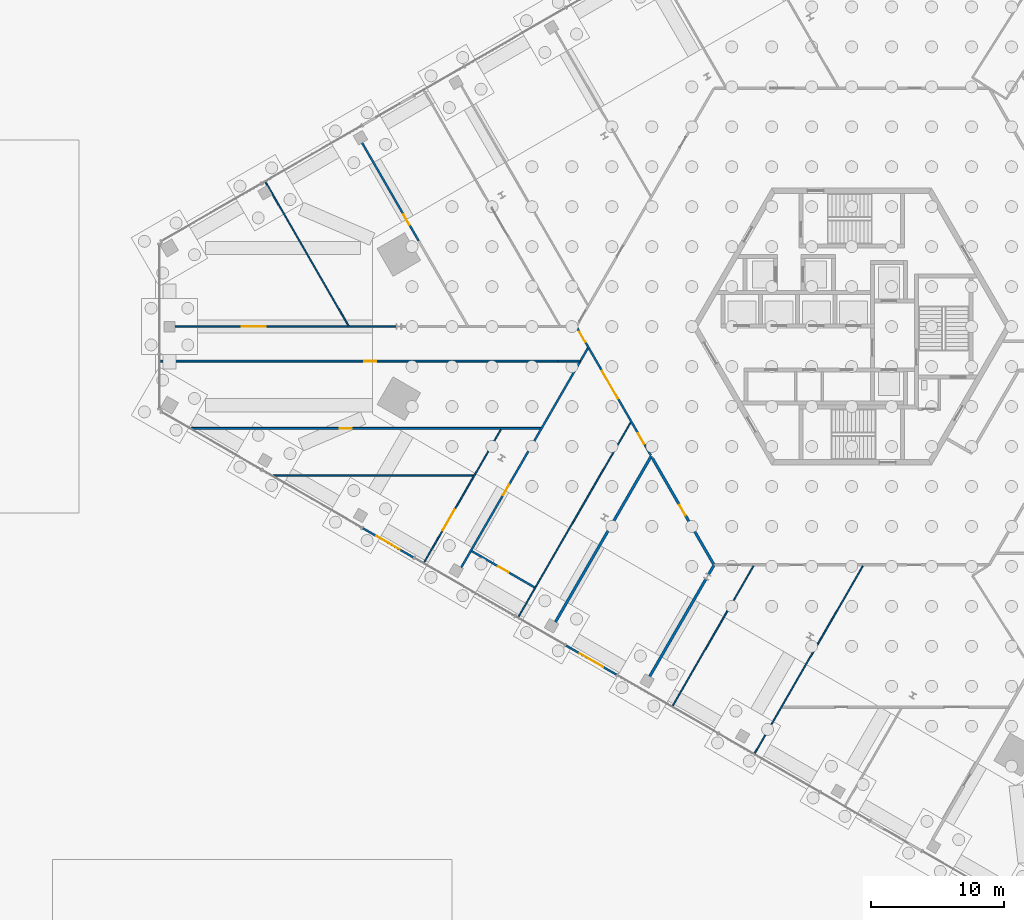
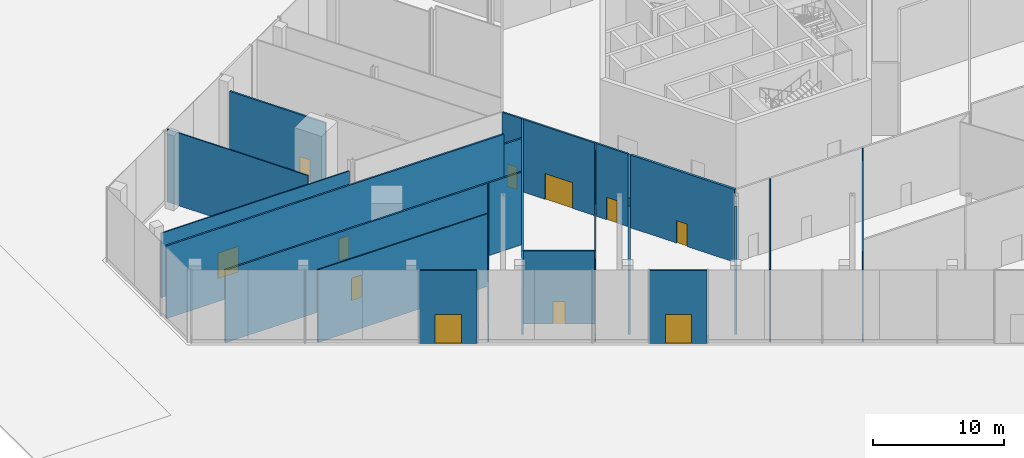
# One storey, part 16 of 27: 21 walls, 13 doors, 13 openings.
"""IFC4 building model written with IfcOpenShell, lengths in metres."""

from ifc_helpers import new_model, si_unit, direction, frame, frame_2d, origin, place, context, subcontext, project, spatial, rectangle, extrude, source, transform, mapped, material, layer, layer_set, type_object, element, fill, save


model = new_model("IFC4")

# Units and contexts
model_context = context("Model", 3, precision=1e-05, world=origin(), true_north=direction((0.0, 1.0)))
body_context = subcontext(model_context, "Body", "Model", "MODEL_VIEW")
ifc_project = project(units=[si_unit("LENGTHUNIT", "METRE"), si_unit("AREAUNIT", "SQUARE_METRE"), si_unit("VOLUMEUNIT", "CUBIC_METRE"), si_unit("PLANEANGLEUNIT", "RADIAN"), si_unit("MASSUNIT", "GRAM", prefix="KILO")], contexts=[model_context])

# Site, building, storey
site_placement = place(None, origin())
site = spatial("IfcSite", under=ifc_project, at=site_placement, CompositionType="ELEMENT")
building_placement = place(site_placement, origin())
building = spatial("IfcBuilding", under=site, at=building_placement, Name="Triune Harvest Tower", CompositionType="ELEMENT")
storey_placement = place(building_placement, origin())
storey = spatial("IfcBuildingStorey", under=building, at=storey_placement, Name="L00", CompositionType="ELEMENT", Elevation=0.0)

# Wall, opening, door
ifc_material_1 = material(Name="Gypsum board on steel studs", Category="steel")
ifc_layer_1 = layer(ifc_material_1, 0.14990234375)
ifc_layer_set_1 = layer_set([ifc_layer_1], Name="Gypsum board on steel studs")
wall_type_1 = type_object("IfcWallType", Name="Fire Partition 150 mm", PredefinedType="PARTITIONING", material=ifc_layer_set_1)
wall_1_placement = place(storey_placement, frame((-36.75244140625, 13.79736328125, 0.0), z_axis=(0.0, 0.0, 1.0), x_axis=(0.499995411839, -0.866028052744, 0.0)))
wall_1 = element("IfcWall", 1, at=wall_1_placement, inside=storey, type_object=wall_type_1, Name="Partition L00 002", PredefinedType="PARTITIONING", context=body_context, shape_type="SweptSolid", body=[
    extrude(rectangle(XDim=8.49072265625, YDim=0.14990234375, at=frame_2d((4.245361328125, 0.0))), origin(), (0.0, 0.0, 1.0), 6.02783203125),
])
opening_1_placement = place(wall_1_placement, frame((6.220703125, 0.0, 0.0)))
opening_1 = element("IfcOpeningElement", 2, at=opening_1_placement, cuts=wall_1, Name="Opening L00-020", PredefinedType="OPENING", context=body_context, shape_type="SweptSolid", body=[
    extrude(rectangle(XDim=0.89990234375, YDim=2.10009765625, at=frame_2d((0.449951171875, 1.050048828125))), frame((0.0, 0.0849609375, 0.0), z_axis=(0.0, -1.0, 0.0), x_axis=(1.0, 0.0, 0.0)), (0.0, 0.0, 1.0), 0.169921875),
])
ifc_material_2 = material(Name="Timber and steel door set", Category="steel")
door_type_1 = type_object("IfcDoorType", Name="Single leaf door FD30 right hand 900 x 2100", OperationType="SINGLE_SWING_RIGHT", PredefinedType="DOOR", material=ifc_material_2)
door_1_placement = place(opening_1_placement, origin())
door_1 = element("IfcDoor", 3, at=door_1_placement, inside=storey, type_object=door_type_1, Name="Door L00-020 Dry Store Room 00.21", OperationType="SINGLE_SWING_RIGHT", OverallHeight=2.10009765625, OverallWidth=0.89990234375, PredefinedType="DOOR", context=body_context, shape_type="SweptSolid", body=[
    extrude(rectangle(XDim=0.89990234375, YDim=2.10009765625, at=frame_2d((0.449951171875, 1.050048828125))), frame((0.0, 0.02490234375, 0.0), z_axis=(0.0, -1.0, 0.0), x_axis=(1.0, 0.0, 0.0)), (0.0, 0.0, 1.0), 0.050048828125),
])
fill(opening_1, door_1)

# Wall, openings, doors
wall_2_placement = place(storey_placement, frame((-20.63525390625, -0.04345703125, 0.0), z_axis=(0.0, 0.0, 1.0), x_axis=(0.500007080889, -0.866021315593, 0.0)))
wall_2 = element("IfcWall", 4, at=wall_2_placement, inside=storey, type_object=wall_type_1, Name="Partition L00 004", PredefinedType="PARTITIONING", context=body_context, shape_type="SweptSolid", body=[
    extrude(rectangle(XDim=11.112548828125, YDim=0.14990234375, at=frame_2d((5.55615234375, 0.0))), origin(), (0.0, 0.0, 1.0), 6.800048828125),
])
opening_2_placement = place(wall_2_placement, frame((0.39990234375, 0.0, 0.0)))
opening_2 = element("IfcOpeningElement", 5, at=opening_2_placement, cuts=wall_2, Name="Opening L00-026", PredefinedType="OPENING", context=body_context, shape_type="SweptSolid", body=[
    extrude(rectangle(XDim=0.89990234375, YDim=2.10009765625, at=frame_2d((0.449951171875, 1.050048828125))), frame((0.0, 0.0849609375, 0.0), z_axis=(0.0, -1.0, 0.0), x_axis=(1.0, 0.0, 0.0)), (0.0, 0.0, 1.0), 0.169921875),
])
opening_3_placement = place(wall_2_placement, frame((3.79248046875, 0.0, 0.0)))
opening_3 = element("IfcOpeningElement", 6, at=opening_3_placement, cuts=wall_2, Name="Opening L00-028", PredefinedType="OPENING", context=body_context, shape_type="SweptSolid", body=[
    extrude(rectangle(XDim=2.39990234375, YDim=2.39990234375, at=frame_2d((1.199951171875, 1.199951171875))), frame((0.0, 0.0849609375, 0.0), z_axis=(0.0, -1.0, 0.0), x_axis=(1.0, 0.0, 0.0)), (0.0, 0.0, 1.0), 0.169921875),
])
opening_4_placement = place(wall_2_placement, frame((9.22412109375, 0.0, 0.0)))
opening_4 = element("IfcOpeningElement", 7, at=opening_4_placement, cuts=wall_2, Name="Opening L00-030", PredefinedType="OPENING", context=body_context, shape_type="SweptSolid", body=[
    extrude(rectangle(XDim=0.89990234375, YDim=2.10009765625, at=frame_2d((0.449951171875, 1.050048828125))), frame((0.0, 0.0849609375, 0.0), z_axis=(0.0, -1.0, 0.0), x_axis=(1.0, 0.0, 0.0)), (0.0, 0.0, 1.0), 0.169921875),
])
ifc_material_3 = material(Name="Steel roller shutter", Category="steel")
door_type_2 = type_object("IfcDoorType", Name="Roller shutter FD30 2400 x 2400", OperationType="ROLLINGUP", PredefinedType="DOOR", material=ifc_material_3)
door_2_placement = place(opening_3_placement, origin())
door_2 = element("IfcDoor", 8, at=door_2_placement, inside=storey, type_object=door_type_2, Name="Door L00-028 Market Stall 00.29", OperationType="ROLLINGUP", OverallHeight=2.39990234375, OverallWidth=2.39990234375, PredefinedType="DOOR", context=body_context, shape_type="SweptSolid", body=[
    extrude(rectangle(XDim=2.39990234375, YDim=2.39990234375, at=frame_2d((1.199951171875, 1.199951171875))), frame((0.0, 0.02490234375, 0.0), z_axis=(0.0, -1.0, 0.0), x_axis=(1.0, 0.0, 0.0)), (0.0, 0.0, 1.0), 0.050048828125),
])
fill(opening_3, door_2)
ifc_material_4 = material(Name="Timber and steel door set", Category="steel")
door_type_3 = type_object("IfcDoorType", Name="Single leaf door FD30 left hand 900 x 2100", OperationType="SINGLE_SWING_LEFT", PredefinedType="DOOR", material=ifc_material_4)
door_3_placement = place(opening_4_placement, origin())
door_3 = element("IfcDoor", 9, at=door_3_placement, inside=storey, type_object=door_type_3, Name="Door L00-030 Dry Store Room 00.31", OperationType="SINGLE_SWING_LEFT", OverallHeight=2.10009765625, OverallWidth=0.89990234375, PredefinedType="DOOR", context=body_context, shape_type="SweptSolid", body=[
    extrude(rectangle(XDim=0.89990234375, YDim=2.10009765625, at=frame_2d((0.449951171875, 1.050048828125))), frame((0.0, 0.02490234375, 0.0), z_axis=(0.0, -1.0, 0.0), x_axis=(1.0, 0.0, 0.0)), (0.0, 0.0, 1.0), 0.050048828125),
])
fill(opening_4, door_3)
door_4_placement = place(opening_2_placement, origin())
door_4 = element("IfcDoor", 10, at=door_4_placement, inside=storey, type_object=door_type_1, Name="Door L00-026 Dry Store Room 00.27", OperationType="SINGLE_SWING_RIGHT", OverallHeight=2.10009765625, OverallWidth=0.89990234375, PredefinedType="DOOR", context=body_context, shape_type="SweptSolid", body=[
    extrude(rectangle(XDim=0.89990234375, YDim=2.10009765625, at=frame_2d((0.449951171875, 1.050048828125))), frame((0.0, 0.02490234375, 0.0), z_axis=(0.0, -1.0, 0.0), x_axis=(1.0, 0.0, 0.0)), (0.0, 0.0, 1.0), 0.050048828125),
])
fill(opening_2, door_4)

# Wall, opening, door
wall_3_placement = place(storey_placement, frame((-28.52587890625, -16.848388671875, 0.0), z_axis=(0.0, 0.0, 1.0), x_axis=(0.866016423889, -0.500015553313, 0.0)))
wall_3 = element("IfcWall", 11, at=wall_3_placement, inside=storey, type_object=wall_type_1, Name="Partition L00 024", PredefinedType="PARTITIONING", context=body_context, shape_type="SweptSolid", body=[
    extrude(rectangle(XDim=5.479736328125, YDim=0.14990234375, at=frame_2d((2.73974609375, 0.0))), origin(), (0.0, 0.0, 1.0), 6.800048828125),
])
opening_5_placement = place(wall_3_placement, frame((2.2900390625, 0.0, 0.0)))
opening_5 = element("IfcOpeningElement", 12, at=opening_5_placement, cuts=wall_3, Name="Opening L00-029", PredefinedType="OPENING", context=body_context, shape_type="SweptSolid", body=[
    extrude(rectangle(XDim=0.89990234375, YDim=2.10009765625, at=frame_2d((0.449951171875, 1.050048828125))), frame((0.0, 0.0849609375, 0.0), z_axis=(0.0, -1.0, 0.0), x_axis=(1.0, 0.0, 0.0)), (0.0, 0.0, 1.0), 0.169921875),
])
door_5_placement = place(opening_5_placement, origin())
door_5 = element("IfcDoor", 13, at=door_5_placement, inside=storey, type_object=door_type_3, Name="Door L00-029 Dry Store Room 00.30", OperationType="SINGLE_SWING_LEFT", OverallHeight=2.10009765625, OverallWidth=0.89990234375, PredefinedType="DOOR", context=body_context, shape_type="SweptSolid", body=[
    extrude(rectangle(XDim=0.89990234375, YDim=2.10009765625, at=frame_2d((0.449951171875, 1.050048828125))), frame((0.0, 0.02490234375, 0.0), z_axis=(0.0, -1.0, 0.0), x_axis=(1.0, 0.0, 0.0)), (0.0, 0.0, 1.0), 0.050048828125),
])
fill(opening_5, door_5)

wall_4_placement = place(storey_placement, frame((-49.559814453125, -7.649169921875, 0.0), z_axis=(0.0, 0.0, 1.0), x_axis=(1.0, 0.0, 0.0)))
wall_4 = element("IfcWall", 14, at=wall_4_placement, inside=storey, type_object=wall_type_1, Name="Partition L00 031", PredefinedType="PARTITIONING", context=body_context, shape_type="SweptSolid", body=[
    extrude(rectangle(XDim=26.275634765625, YDim=0.14990234375, at=frame_2d((13.1376953125, 0.0))), origin(), (0.0, 0.0, 1.0), 6.800048828125),
])
opening_6_placement = place(wall_4_placement, frame((11.14990234375, 0.0, 0.0)))
opening_6 = element("IfcOpeningElement", 15, at=opening_6_placement, cuts=wall_4, Name="Opening L00-024", PredefinedType="OPENING", context=body_context, shape_type="SweptSolid", body=[
    extrude(rectangle(XDim=0.89990234375, YDim=2.10009765625, at=frame_2d((0.449951171875, 1.050048828125))), frame((0.0, 0.0849609375, 0.0), z_axis=(0.0, -1.0, 0.0), x_axis=(1.0, 0.0, 0.0)), (0.0, 0.0, 1.0), 0.169921875),
])
door_6_placement = place(opening_6_placement, origin())
door_6 = element("IfcDoor", 16, at=door_6_placement, inside=storey, type_object=door_type_1, Name="Door L00-024 Dry Store Room 00.25", OperationType="SINGLE_SWING_RIGHT", OverallHeight=2.10009765625, OverallWidth=0.89990234375, PredefinedType="DOOR", context=body_context, shape_type="SweptSolid", body=[
    extrude(rectangle(XDim=0.89990234375, YDim=2.10009765625, at=frame_2d((0.449951171875, 1.050048828125))), frame((0.0, 0.02490234375, 0.0), z_axis=(0.0, -1.0, 0.0), x_axis=(1.0, 0.0, 0.0)), (0.0, 0.0, 1.0), 0.050048828125),
])
fill(opening_6, door_6)

wall_5_placement = place(storey_placement, frame((-51.875244140625, -2.60009765625, 0.0), z_axis=(0.0, 0.0, 1.0), x_axis=(1.0, 0.0, 0.0)))
wall_5 = element("IfcWall", 17, at=wall_5_placement, inside=storey, type_object=wall_type_1, Name="Partition L00 032", PredefinedType="PARTITIONING", context=body_context, shape_type="SweptSolid", body=[
    extrude(rectangle(XDim=29.84228515625, YDim=0.14990234375, at=frame_2d((14.921142578125, 0.0))), origin(), (0.0, 0.0, 1.0), 6.800048828125),
])
opening_7_placement = place(wall_5_placement, frame((15.27490234375, 0.0, 0.0)))
opening_7 = element("IfcOpeningElement", 18, at=opening_7_placement, cuts=wall_5, Name="Opening L00-025", PredefinedType="OPENING", context=body_context, shape_type="SweptSolid", body=[
    extrude(rectangle(XDim=0.89990234375, YDim=2.10009765625, at=frame_2d((0.449951171875, 1.050048828125))), frame((0.0, 0.0849609375, 0.0), z_axis=(0.0, -1.0, 0.0), x_axis=(1.0, 0.0, 0.0)), (0.0, 0.0, 1.0), 0.169921875),
])
door_7_placement = place(opening_7_placement, origin())
door_7 = element("IfcDoor", 19, at=door_7_placement, inside=storey, type_object=door_type_1, Name="Door L00-025 Dry Store Room 00.26", OperationType="SINGLE_SWING_RIGHT", OverallHeight=2.10009765625, OverallWidth=0.89990234375, PredefinedType="DOOR", context=body_context, shape_type="SweptSolid", body=[
    extrude(rectangle(XDim=0.89990234375, YDim=2.10009765625, at=frame_2d((0.449951171875, 1.050048828125))), frame((0.0, 0.02490234375, 0.0), z_axis=(0.0, -1.0, 0.0), x_axis=(1.0, 0.0, 0.0)), (0.0, 0.0, 1.0), 0.050048828125),
])
fill(opening_7, door_7)

# Wall
wall_6_placement = place(storey_placement, frame((-22.032958984375, -2.60009765625, 0.0), z_axis=(0.0, 0.0, 1.0), x_axis=(1.0, 0.0, 0.0)))
element("IfcWall", 20, at=wall_6_placement, inside=storey, type_object=wall_type_1, Name="Partition L00 032a", PredefinedType="PARTITIONING", context=body_context, shape_type="SweptSolid", body=[
    extrude(rectangle(XDim=1.6640625, YDim=0.14990234375, at=frame_2d((0.83203125, 0.0))), origin(), (0.0, 0.0, 1.0), 5.857666015625),
])

# Wall, opening, door
wall_7_placement = place(storey_placement, frame((-29.313232421875, -18.09228515625, 0.0), z_axis=(0.0, 0.0, 1.0), x_axis=(0.499996874182, 0.866027208469, 0.0)))
wall_7 = element("IfcWall", 21, at=wall_7_placement, inside=storey, type_object=wall_type_1, Name="Partition L00 063", PredefinedType="PARTITIONING", context=body_context, shape_type="SweptSolid", body=[
    extrude(rectangle(XDim=19.0986328125, YDim=0.14990234375, at=frame_2d((9.54931640625, 0.0))), origin(), (0.0, 0.0, 1.0), 6.800048828125),
])
opening_8_placement = place(wall_7_placement, frame((6.30859375, 0.0, 0.0)))
opening_8 = element("IfcOpeningElement", 22, at=opening_8_placement, cuts=wall_7, Name="Opening L00-027", PredefinedType="OPENING", context=body_context, shape_type="SweptSolid", body=[
    extrude(rectangle(XDim=0.89990234375, YDim=2.10009765625, at=frame_2d((0.449951171875, 1.050048828125))), frame((0.0, 0.0849609375, 0.0), z_axis=(0.0, -1.0, 0.0), x_axis=(1.0, 0.0, 0.0)), (0.0, 0.0, 1.0), 0.169921875),
])
door_8_placement = place(opening_8_placement, origin())
door_8 = element("IfcDoor", 23, at=door_8_placement, inside=storey, type_object=door_type_3, Name="Door L00-027 Dry Store Room 00.28", OperationType="SINGLE_SWING_LEFT", OverallHeight=2.10009765625, OverallWidth=0.89990234375, PredefinedType="DOOR", context=body_context, shape_type="SweptSolid", body=[
    extrude(rectangle(XDim=0.89990234375, YDim=2.10009765625, at=frame_2d((0.449951171875, 1.050048828125))), frame((0.0, 0.02490234375, 0.0), z_axis=(0.0, -1.0, 0.0), x_axis=(1.0, 0.0, 0.0)), (0.0, 0.0, 1.0), 0.050048828125),
])
fill(opening_8, door_8)

ifc_material_5 = material(Name="Gypsum board on steel studs", Category="steel")
ifc_layer_2 = layer(ifc_material_5, 0.199951171875)
ifc_layer_set_2 = layer_set([ifc_layer_2], Name="Gypsum board on steel studs")
wall_type_2 = type_object("IfcWallType", Name="Fire Wall 200 mm", PredefinedType="PARTITIONING", material=ifc_layer_set_2)
wall_8_placement = place(storey_placement, frame((-14.96875, -9.85791015625, 0.0), z_axis=(0.0, 0.0, 1.0), x_axis=(0.500003393015, -0.866023444818, 0.0)))
wall_8 = element("IfcWall", 24, at=wall_8_placement, inside=storey, type_object=wall_type_2, Name="Partition L00 005", PredefinedType="PARTITIONING", context=body_context, shape_type="SweptSolid", body=[
    extrude(rectangle(XDim=9.2275390625, YDim=0.199951171875, at=frame_2d((4.61376953125, 0.0))), origin(), (0.0, 0.0, 1.0), 6.800048828125),
])
opening_9_placement = place(wall_8_placement, frame((4.093505859375, 0.0, 0.0)))
opening_9 = element("IfcOpeningElement", 25, at=opening_9_placement, cuts=wall_8, Name="Opening L00-031", PredefinedType="OPENING", context=body_context, shape_type="SweptSolid", body=[
    extrude(rectangle(XDim=0.89990234375, YDim=2.10009765625, at=frame_2d((0.449951171875, 1.050048828125))), frame((0.0, 0.10986328125, 0.0), z_axis=(0.0, -1.0, 0.0), x_axis=(1.0, 0.0, 0.0)), (0.0, 0.0, 1.0), 0.219970703125),
])
ifc_material_6 = material(Name="Timber and steel door set", Category="steel")
door_type_4 = type_object("IfcDoorType", Name="Single leaf door FD60 right hand 900 x 2100", OperationType="SINGLE_SWING_RIGHT", PredefinedType="DOOR", material=ifc_material_6)
door_9_placement = place(opening_9_placement, origin())
door_9 = element("IfcDoor", 26, at=door_9_placement, inside=storey, type_object=door_type_4, Name="Door L00-031 Electrical Substation Room 00.32", OperationType="SINGLE_SWING_RIGHT", OverallHeight=2.10009765625, OverallWidth=0.89990234375, PredefinedType="DOOR", context=body_context, shape_type="SweptSolid", body=[
    extrude(rectangle(XDim=0.89990234375, YDim=2.10009765625, at=frame_2d((0.449951171875, 1.050048828125))), frame((0.0, 0.02490234375, 0.0), z_axis=(0.0, -1.0, 0.0), x_axis=(1.0, 0.0, 0.0)), (0.0, 0.0, 1.0), 0.050048828125),
])
fill(opening_9, door_9)

# Walls
wall_9_placement = place(storey_placement, frame((-15.161865234375, -26.2626953125, 0.0), z_axis=(0.0, 0.0, 1.0), x_axis=(0.499984984754, 0.866034072667, 0.0)))
element("IfcWall", 27, at=wall_9_placement, inside=storey, type_object=wall_type_2, Name="Partition L00 058", PredefinedType="PARTITIONING", context=body_context, shape_type="SweptSolid", body=[
    extrude(rectangle(XDim=8.452392578125, YDim=0.199951171875, at=frame_2d((4.22607421875, 0.0))), origin(), (0.0, 0.0, 1.0), 6.02783203125),
])
wall_10_placement = place(storey_placement, frame((-10.74267578125, -18.60791015625, 0.0), z_axis=(0.0, 0.0, 1.0), x_axis=(0.500080938595, 0.865978668822, 0.0)))
element("IfcWall", 28, at=wall_10_placement, inside=storey, type_object=wall_type_2, Name="Partition L00 059", PredefinedType="PARTITIONING", context=body_context, shape_type="SweptSolid", body=[
    extrude(rectangle(XDim=0.785888671875, YDim=0.199951171875, at=frame_2d((0.39306640625, 0.0))), origin(), (0.0, 0.0, 1.0), 6.187744140625),
])
wall_11_placement = place(storey_placement, frame((-22.238037109375, -22.17724609375, 0.0), z_axis=(0.0, 0.0, 1.0), x_axis=(0.500007862672, 0.866020864221, 0.0)))
element("IfcWall", 29, at=wall_11_placement, inside=storey, type_object=wall_type_2, Name="Partition L00 061", PredefinedType="PARTITIONING", context=body_context, shape_type="SweptSolid", body=[
    extrude(rectangle(XDim=8.490478515625, YDim=0.199951171875, at=frame_2d((4.2451171875, 0.0))), origin(), (0.0, 0.0, 1.0), 6.02783203125),
])
wall_12_placement = place(storey_placement, frame((-17.99267578125, -14.82421875, 0.0), z_axis=(0.0, 0.0, 1.0), x_axis=(0.500003463284, 0.866023404247, 0.0)))
element("IfcWall", 30, at=wall_12_placement, inside=storey, type_object=wall_type_2, Name="Partition L00 061a", PredefinedType="PARTITIONING", context=body_context, shape_type="SweptSolid", body=[
    extrude(rectangle(XDim=5.89111328125, YDim=0.199951171875, at=frame_2d((2.945556640625, 0.0))), origin(), (0.0, 0.0, 1.0), 6.800048828125),
])
ifc_material_7 = material(Name="Gypsum board on steel studs", Category="steel")
ifc_layer_3 = layer(ifc_material_7, 0.10009765625)
ifc_layer_set_3 = layer_set([ifc_layer_3], Name="Gypsum board on steel studs")
wall_type_3 = type_object("IfcWallType", Name="Partition 100 mm", PredefinedType="PARTITIONING", material=ifc_layer_set_3)
wall_13_placement = place(storey_placement, frame((-43.9912109375, 10.835205078125, 0.0), z_axis=(0.0, 0.0, 1.0), x_axis=(0.500005562063, -0.866022192502, 0.0)))
element("IfcWall", 31, at=wall_13_placement, inside=storey, type_object=wall_type_3, Name="Partition L00 001", PredefinedType="PARTITIONING", context=body_context, shape_type="SweptSolid", body=[
    extrude(rectangle(XDim=12.441162109375, YDim=0.10009765625, at=frame_2d((6.220703125, 0.0))), origin(), (0.0, 0.0, 1.0), 6.800048828125),
])
wall_14_placement = place(storey_placement, frame((-43.43310546875, -11.186279296875, 0.0), z_axis=(0.0, 0.0, 1.0), x_axis=(1.0, 0.0, 0.0)))
element("IfcWall", 32, at=wall_14_placement, inside=storey, type_object=wall_type_3, Name="Partition L00 030", PredefinedType="PARTITIONING", context=body_context, shape_type="SweptSolid", body=[
    extrude(rectangle(XDim=15.1044921875, YDim=0.10009765625, at=frame_2d((7.55224609375, 0.0))), origin(), (0.0, 0.0, 1.0), 6.800048828125),
])

# Wall, opening, door
wall_15_placement = place(storey_placement, frame((-50.821044921875, 0.0, 0.0), z_axis=(0.0, 0.0, 1.0), x_axis=(1.0, 0.0, 0.0)))
wall_15 = element("IfcWall", 33, at=wall_15_placement, inside=storey, type_object=wall_type_3, Name="Partition L00 033", PredefinedType="PARTITIONING", context=body_context, shape_type="SweptSolid", body=[
    extrude(rectangle(XDim=16.63916015625, YDim=0.10009765625, at=frame_2d((8.319580078125, 0.0))), origin(), (0.0, 0.0, 1.0), 6.02783203125),
])
opening_10_placement = place(wall_15_placement, frame((5.035400390625, 0.0, 0.0)))
opening_10 = element("IfcOpeningElement", 34, at=opening_10_placement, cuts=wall_15, Name="Opening L00-022", PredefinedType="OPENING", context=body_context, shape_type="SweptSolid", body=[
    extrude(rectangle(XDim=1.800048828125, YDim=2.39990234375, at=frame_2d((0.89990234375, 1.199951171875))), frame((0.0, 0.06005859375, 0.0), z_axis=(0.0, -1.0, 0.0), x_axis=(1.0, 0.0, 0.0)), (0.0, 0.0, 1.0), 0.1201171875),
])
ifc_material_8 = material(Name="Timber and steel door set", Category="steel")
door_type_5 = type_object("IfcDoorType", Name="Double leaf door 1800 x 2400", OperationType="DOUBLE_DOOR_SINGLE_SWING", PredefinedType="DOOR", material=ifc_material_8)
door_10_placement = place(opening_10_placement, origin())
door_10 = element("IfcDoor", 35, at=door_10_placement, inside=storey, type_object=door_type_5, Name="Door L00-022 Loading Dock 00.23", OperationType="DOUBLE_DOOR_SINGLE_SWING", OverallHeight=2.39990234375, OverallWidth=1.800048828125, PredefinedType="DOOR", context=body_context, shape_type="SweptSolid", body=[
    extrude(rectangle(XDim=1.800048828125, YDim=2.39990234375, at=frame_2d((0.89990234375, 1.199951171875))), frame((0.0, 0.02490234375, 0.0), z_axis=(0.0, -1.0, 0.0), x_axis=(1.0, 0.0, 0.0)), (0.0, 0.0, 1.0), 0.050048828125),
])
fill(opening_10, door_10)

# Walls
wall_16_placement = place(storey_placement, frame((-7.27880859375, -32.03125, 0.0), z_axis=(0.0, 0.0, 1.0), x_axis=(0.499989721496, 0.866031338, 0.0)))
element("IfcWall", 36, at=wall_16_placement, inside=storey, type_object=wall_type_3, Name="Partition L00 056", PredefinedType="PARTITIONING", context=body_context, shape_type="SweptSolid", body=[
    extrude(rectangle(XDim=16.236083984375, YDim=0.10009765625, at=frame_2d((8.1181640625, 0.0))), origin(), (0.0, 0.0, 1.0), 6.800048828125),
])
wall_17_placement = place(storey_placement, frame((-13.43798828125, -28.475341796875, 0.0), z_axis=(0.0, 0.0, 1.0), x_axis=(0.50000294753, 0.86602370202, 0.0)))
element("IfcWall", 37, at=wall_17_placement, inside=storey, type_object=wall_type_3, Name="Partition L00 057", PredefinedType="PARTITIONING", context=body_context, shape_type="SweptSolid", body=[
    extrude(rectangle(XDim=12.13037109375, YDim=0.10009765625, at=frame_2d((6.065185546875, 0.0))), origin(), (0.0, 0.0, 1.0), 6.800048828125),
])
wall_18_placement = place(storey_placement, frame((-25.016845703125, -21.790283203125, 0.0), z_axis=(0.0, 0.0, 1.0), x_axis=(0.499997792702, 0.866026678165, 0.0)))
element("IfcWall", 38, at=wall_18_placement, inside=storey, type_object=wall_type_3, Name="Partition L00 062", PredefinedType="PARTITIONING", context=body_context, shape_type="SweptSolid", body=[
    extrude(rectangle(XDim=16.93701171875, YDim=0.10009765625, at=frame_2d((8.468505859375, 0.0))), origin(), (0.0, 0.0, 1.0), 6.800048828125),
])

# Wall, opening, door
wall_19_placement = place(storey_placement, frame((-32.092041015625, -17.705322265625, 0.0), z_axis=(0.0, 0.0, 1.0), x_axis=(0.499985969581, 0.866033504099, 0.0)))
wall_19 = element("IfcWall", 39, at=wall_19_placement, inside=storey, type_object=wall_type_3, Name="Partition L00 065", PredefinedType="PARTITIONING", context=body_context, shape_type="SweptSolid", body=[
    extrude(rectangle(XDim=11.521728515625, YDim=0.10009765625, at=frame_2d((5.7607421875, 0.0))), origin(), (0.0, 0.0, 1.0), 6.800048828125),
])
opening_11_placement = place(wall_19_placement, frame((2.77734375, 0.0, 0.0)))
opening_11 = element("IfcOpeningElement", 40, at=opening_11_placement, cuts=wall_19, Name="Opening L00-023", PredefinedType="OPENING", context=body_context, shape_type="SweptSolid", body=[
    extrude(rectangle(XDim=1.800048828125, YDim=2.39990234375, at=frame_2d((0.89990234375, 1.199951171875))), frame((0.0, 0.06005859375, 0.0), z_axis=(0.0, -1.0, 0.0), x_axis=(1.0, 0.0, 0.0)), (0.0, 0.0, 1.0), 0.1201171875),
])
door_11_placement = place(opening_11_placement, origin())
door_11 = element("IfcDoor", 41, at=door_11_placement, inside=storey, type_object=door_type_5, Name="Door L00-023 Market Hall 00.24", OperationType="DOUBLE_DOOR_SINGLE_SWING", OverallHeight=2.39990234375, OverallWidth=1.800048828125, PredefinedType="DOOR", context=body_context, shape_type="SweptSolid", body=[
    extrude(rectangle(XDim=1.800048828125, YDim=2.39990234375, at=frame_2d((0.89990234375, 1.199951171875))), frame((0.0, 0.02490234375, 0.0), z_axis=(0.0, -1.0, 0.0), x_axis=(1.0, 0.0, 0.0)), (0.0, 0.0, 1.0), 0.050048828125),
])
fill(opening_11, door_11)

ifc_material_9 = material(Name="Aluminium bronze anodised", Category="aluminium")
ifc_layer_4 = layer(ifc_material_9, 0.14990234375)
ifc_layer_set_4 = layer_set([ifc_layer_4], Name="Aluminium bronze anodised")
wall_type_4 = type_object("IfcWallType", Name="WW-1 entrance wall", PredefinedType="ELEMENTEDWALL", material=ifc_layer_set_4)
shared_shape = source(origin(), body_context, "Body", "SweptSolid", [
    extrude(rectangle(XDim=4.40283203125, YDim=0.14990234375, at=frame_2d((2.201416015625, 0.0))), origin(), (0.0, 0.0, 1.0), 6.800048828125),
])
wall_20_placement = place(storey_placement, frame((-32.885498046875, -17.333740234375, 0.0), z_axis=(0.0, 0.0, 1.0), x_axis=(-0.866026760492, 0.499997650106, 0.0)))
wall_20 = element("IfcWall", 42, at=wall_20_placement, inside=storey, type_object=wall_type_4, Name="WW-1 PD-F5 L00.5", PredefinedType="ELEMENTEDWALL", context=body_context, shape_type="MappedRepresentation", body=[
    mapped(shared_shape, transform((0.0, 0.0, 0.0), scale=1.0)),
])
opening_12_placement = place(wall_20_placement, frame((1.201416015625, 0.0, 0.0)))
opening_12 = element("IfcOpeningElement", 43, at=opening_12_placement, cuts=wall_20, Name="Opening L00-E09", PredefinedType="OPENING", context=body_context, shape_type="SweptSolid", body=[
    extrude(rectangle(XDim=2.0, YDim=2.699951171875, at=frame_2d((1.0, 1.35009765625))), frame((0.0, 0.0849609375, 0.0), z_axis=(0.0, -1.0, 0.0), x_axis=(1.0, 0.0, 0.0)), (0.0, 0.0, 1.0), 0.169921875),
])
ifc_material_10 = material(Name="Glass", Category="glass")
door_type_6 = type_object("IfcDoorType", Name="DE-1 glazed entrance door 2000 x 2700", OperationType="DOUBLE_DOOR_SINGLE_SWING", PredefinedType="DOOR", material=ifc_material_10)
door_12_placement = place(opening_12_placement, origin())
door_12 = element("IfcDoor", 44, at=door_12_placement, inside=storey, type_object=door_type_6, Name="Door L00-E09", OperationType="DOUBLE_DOOR_SINGLE_SWING", OverallHeight=2.699951171875, OverallWidth=2.0, PredefinedType="DOOR", context=body_context, shape_type="SweptSolid", body=[
    extrude(rectangle(XDim=2.0, YDim=2.699951171875, at=frame_2d((1.0, 1.35009765625))), frame((0.0, 0.02490234375, 0.0), z_axis=(0.0, -1.0, 0.0), x_axis=(1.0, 0.0, 0.0)), (0.0, 0.0, 1.0), 0.050048828125),
])
fill(opening_12, door_12)

wall_21_placement = place(storey_placement, frame((-17.633544921875, -26.139404296875, 0.0), z_axis=(0.0, 0.0, 1.0), x_axis=(-0.866026760492, 0.499997650106, 0.0)))
wall_21 = element("IfcWall", 45, at=wall_21_placement, inside=storey, type_object=wall_type_4, Name="WW-1 PD-F5 L00.9", PredefinedType="ELEMENTEDWALL", context=body_context, shape_type="MappedRepresentation", body=[
    mapped(shared_shape, transform((0.0, 0.0, 0.0), scale=1.0)),
])
opening_13_placement = place(wall_21_placement, frame((1.201416015625, 0.0, 0.0)))
opening_13 = element("IfcOpeningElement", 46, at=opening_13_placement, cuts=wall_21, Name="Opening L00-E10", PredefinedType="OPENING", context=body_context, shape_type="SweptSolid", body=[
    extrude(rectangle(XDim=2.0, YDim=2.699951171875, at=frame_2d((1.0, 1.35009765625))), frame((0.0, 0.0849609375, 0.0), z_axis=(0.0, -1.0, 0.0), x_axis=(1.0, 0.0, 0.0)), (0.0, 0.0, 1.0), 0.169921875),
])
door_13_placement = place(opening_13_placement, origin())
door_13 = element("IfcDoor", 47, at=door_13_placement, inside=storey, type_object=door_type_6, Name="Door L00-E10", OperationType="DOUBLE_DOOR_SINGLE_SWING", OverallHeight=2.699951171875, OverallWidth=2.0, PredefinedType="DOOR", context=body_context, shape_type="SweptSolid", body=[
    extrude(rectangle(XDim=2.0, YDim=2.699951171875, at=frame_2d((1.0, 1.35009765625))), frame((0.0, 0.02490234375, 0.0), z_axis=(0.0, -1.0, 0.0), x_axis=(1.0, 0.0, 0.0)), (0.0, 0.0, 1.0), 0.050048828125),
])
fill(opening_13, door_13)

save(model, "model.ifc")
